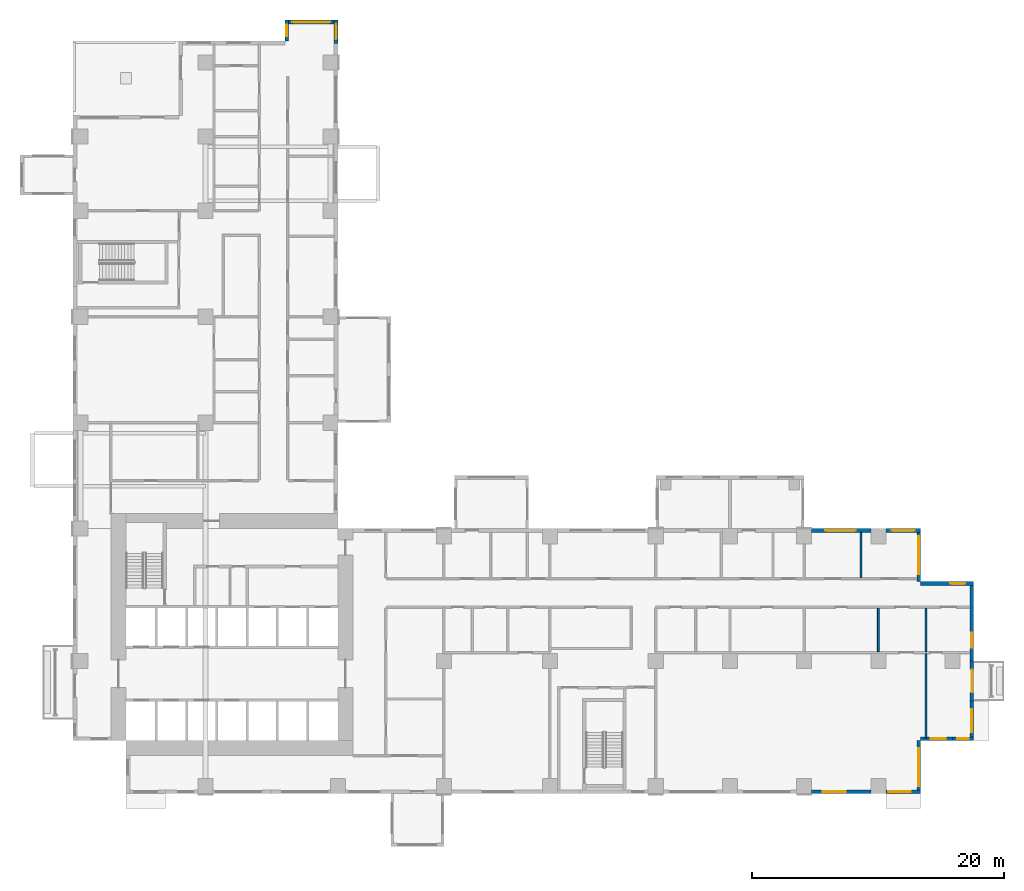
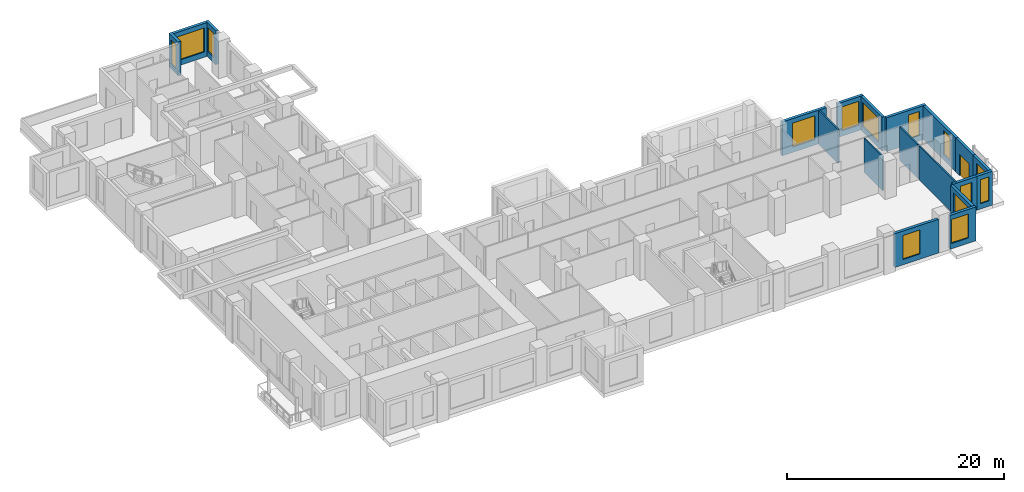
# One storey, part 9 of 15: 19 walls, 14 windows, 1 door, 15 openings.
"""IFC4 building model written with IfcOpenShell, lengths in metres."""

from ifc_helpers import new_model, si_unit, direction, frame, frame_2d, origin, place, context, subcontext, project, spatial, rectangle, extrude, source, transform, mapped, material, layer, layer_set, type_object, element, fill, save


model = new_model("IFC4")

# Units and contexts
model_context = context("Model", 3, precision=1e-05, world=origin(), true_north=direction((0.0, 1.0)))
body_context = subcontext(model_context, "Body", "Model", "MODEL_VIEW")
ifc_project = project(units=[si_unit("LENGTHUNIT", "METRE"), si_unit("AREAUNIT", "SQUARE_METRE"), si_unit("VOLUMEUNIT", "CUBIC_METRE"), si_unit("PLANEANGLEUNIT", "RADIAN"), si_unit("MASSUNIT", "GRAM", prefix="KILO")], contexts=[model_context])

# Site, building, storey
site_placement = place(None, origin())
site = spatial("IfcSite", under=ifc_project, at=site_placement, CompositionType="ELEMENT")
building_placement = place(site_placement, origin())
building = spatial("IfcBuilding", under=site, at=building_placement, Name="Aurelian Terraces", CompositionType="ELEMENT")
storey_placement = place(building_placement, frame((0.0, 0.0, 82.5)))
storey = spatial("IfcBuildingStorey", under=building, at=storey_placement, Name="L17", CompositionType="ELEMENT", Elevation=82.5)

# Wall, opening, window
ifc_material_1 = material(Name="Terracotta rainscreen cladding", Category="masonry")
ifc_layer_1 = layer(ifc_material_1, 0.3)
ifc_layer_set_1 = layer_set([ifc_layer_1], Name="EW-300")
wall_type_1 = type_object("IfcWallType", Name="EW-300", PredefinedType="STANDARD", material=ifc_layer_set_1)
shared_shape_1 = source(origin(), body_context, "Body", "SweptSolid", [
    extrude(rectangle(XDim=4.68, YDim=0.3, at=frame_2d((2.34, 0.0))), origin(), (0.0, 0.0, 1.0), 3.8),
])
wall_1_placement = place(storey_placement, frame((58.56, 0.15, 0.0), z_axis=(0.0, 0.0, 1.0), x_axis=(1.0, 0.0, 0.0)))
wall_1 = element("IfcWall", 1, at=wall_1_placement, inside=storey, type_object=wall_type_1, Name="External wall L17 F01.10", PredefinedType="STANDARD", context=body_context, shape_type="MappedRepresentation", body=[
    mapped(shared_shape_1, transform((0.0, 0.0, 0.0), scale=1.0)),
])
shared_shape_2 = source(origin(), body_context, "Body", "SweptSolid", [
    extrude(rectangle(XDim=1.8, YDim=2.7, at=frame_2d((0.9, 1.35))), frame((0.0, 0.16, 0.0), z_axis=(0.0, -1.0, 0.0), x_axis=(1.0, 0.0, 0.0)), (0.0, 0.0, 1.0), 0.32),
])
opening_1_placement = place(wall_1_placement, frame((0.8775, 0.0, 0.6)))
opening_1 = element("IfcOpeningElement", 2, at=opening_1_placement, cuts=wall_1, Name="Opening W1827", PredefinedType="OPENING", context=body_context, shape_type="MappedRepresentation", body=[
    mapped(shared_shape_2, transform((0.0, 0.0, 0.0), scale=1.0)),
])
ifc_material_2 = material(Name="Clear glazing", Category="glass")
window_type_1 = type_object("IfcWindowType", Name="W-1800x2700", PartitioningType="SINGLE_PANEL", PredefinedType="WINDOW", material=ifc_material_2)
shared_shape_3 = source(origin(), body_context, "Body", "SweptSolid", [
    extrude(rectangle(XDim=1.8, YDim=2.7, at=frame_2d((0.9, 1.35))), frame((0.0, 0.03, 0.0), z_axis=(0.0, -1.0, 0.0), x_axis=(1.0, 0.0, 0.0)), (0.0, 0.0, 1.0), 0.06),
])
window_1_placement = place(opening_1_placement, origin())
window_1 = element("IfcWindow", 3, at=window_1_placement, inside=storey, type_object=window_type_1, Name="Window L17 L17-F01-10-0", OverallHeight=2.7, OverallWidth=1.8, PartitioningType="SINGLE_PANEL", PredefinedType="WINDOW", context=body_context, shape_type="MappedRepresentation", body=[
    mapped(shared_shape_3, transform((0.0, 0.0, 0.0), scale=1.0)),
])
fill(opening_1, window_1)

wall_2_placement = place(storey_placement, frame((63.24, 20.85, 0.0), z_axis=(0.0, 0.0, 1.0), x_axis=(-1.0, 0.0, 0.0)))
wall_2 = element("IfcWall", 4, at=wall_2_placement, inside=storey, type_object=wall_type_1, Name="External wall L17 F07.20", PredefinedType="STANDARD", context=body_context, shape_type="MappedRepresentation", body=[
    mapped(shared_shape_1, transform((0.0, 0.0, 0.0), scale=1.0)),
])
shared_shape_4 = source(origin(), body_context, "Body", "SweptSolid", [
    extrude(rectangle(XDim=2.4, YDim=2.7, at=frame_2d((1.2, 1.35))), frame((0.0, 0.16, 0.0), z_axis=(0.0, -1.0, 0.0), x_axis=(1.0, 0.0, 0.0)), (0.0, 0.0, 1.0), 0.32),
])
opening_2_placement = place(wall_2_placement, frame((1.1935, 0.0, 0.6)))
opening_2 = element("IfcOpeningElement", 5, at=opening_2_placement, cuts=wall_2, Name="Opening W2427", PredefinedType="OPENING", context=body_context, shape_type="MappedRepresentation", body=[
    mapped(shared_shape_4, transform((0.0, 0.0, 0.0), scale=1.0)),
])
window_type_2 = type_object("IfcWindowType", Name="W-2400x2700", PartitioningType="SINGLE_PANEL", PredefinedType="WINDOW", material=ifc_material_2)
shared_shape_5 = source(origin(), body_context, "Body", "SweptSolid", [
    extrude(rectangle(XDim=2.4, YDim=2.7, at=frame_2d((1.2, 1.35))), frame((0.0, 0.03, 0.0), z_axis=(0.0, -1.0, 0.0), x_axis=(1.0, 0.0, 0.0)), (0.0, 0.0, 1.0), 0.06),
])
window_2_placement = place(opening_2_placement, origin())
window_2 = element("IfcWindow", 6, at=window_2_placement, inside=storey, type_object=window_type_2, Name="Window L17 L17-F07-20-1", OverallHeight=2.7, OverallWidth=2.4, PartitioningType="SINGLE_PANEL", PredefinedType="WINDOW", context=body_context, shape_type="MappedRepresentation", body=[
    mapped(shared_shape_5, transform((0.0, 0.0, 0.0), scale=1.0)),
])
fill(opening_2, window_2)

shared_shape_6 = source(origin(), body_context, "Body", "SweptSolid", [
    extrude(rectangle(XDim=3.15, YDim=0.3, at=frame_2d((1.575, 0.0))), origin(), (0.0, 0.0, 1.0), 3.8),
])
wall_3_placement = place(storey_placement, frame((71.25, 4.2, 0.0), z_axis=(0.0, 0.0, 1.0), x_axis=(0.0, 1.0, 0.0)))
wall_3 = element("IfcWall", 7, at=wall_3_placement, inside=storey, type_object=wall_type_1, Name="External wall L17 F04.15", PredefinedType="STANDARD", context=body_context, shape_type="MappedRepresentation", body=[
    mapped(shared_shape_6, transform((0.0, 0.0, 0.0), scale=1.0)),
])
opening_3_placement = place(wall_3_placement, frame((0.675, 0.0, 0.6)))
opening_3 = element("IfcOpeningElement", 8, at=opening_3_placement, cuts=wall_3, Name="Opening W1827", PredefinedType="OPENING", context=body_context, shape_type="MappedRepresentation", body=[
    mapped(shared_shape_2, transform((0.0, 0.0, 0.0), scale=1.0)),
])
window_3_placement = place(opening_3_placement, origin())
window_3 = element("IfcWindow", 9, at=window_3_placement, inside=storey, type_object=window_type_1, Name="Window L17 L17-F04-15-0", OverallHeight=2.7, OverallWidth=1.8, PartitioningType="SINGLE_PANEL", PredefinedType="WINDOW", context=body_context, shape_type="MappedRepresentation", body=[
    mapped(shared_shape_3, transform((0.0, 0.0, 0.0), scale=1.0)),
])
fill(opening_3, window_3)

# Wall, opening, door
wall_4_placement = place(storey_placement, frame((71.25, 7.35, 0.0), z_axis=(0.0, 0.0, 1.0), x_axis=(0.0, 1.0, 0.0)))
wall_4 = element("IfcWall", 10, at=wall_4_placement, inside=storey, type_object=wall_type_1, Name="External wall L17 F04.16", PredefinedType="STANDARD", context=body_context, shape_type="MappedRepresentation", body=[
    mapped(shared_shape_6, transform((0.0, 0.0, 0.0), scale=1.0)),
])
shared_shape_7 = source(origin(), body_context, "Body", "SweptSolid", [
    extrude(rectangle(XDim=1.8, YDim=2.4, at=frame_2d((0.9, 1.2))), frame((0.0, 0.16, 0.0), z_axis=(0.0, -1.0, 0.0), x_axis=(1.0, 0.0, 0.0)), (0.0, 0.0, 1.0), 0.32),
])
opening_4_placement = place(wall_4_placement, frame((0.675, 0.0, 0.0)))
opening_4 = element("IfcOpeningElement", 11, at=opening_4_placement, cuts=wall_4, Name="Opening 81701", PredefinedType="OPENING", context=body_context, shape_type="MappedRepresentation", body=[
    mapped(shared_shape_7, transform((0.0, 0.0, 0.0), scale=1.0)),
])
door_type = type_object("IfcDoorType", Name="BD-1800x2400", OperationType="SLIDING_TO_LEFT", PredefinedType="DOOR", material=ifc_material_2)
shared_shape_8 = source(origin(), body_context, "Body", "SweptSolid", [
    extrude(rectangle(XDim=1.8, YDim=2.4, at=frame_2d((0.9, 1.2))), frame((0.0, 0.025, 0.0), z_axis=(0.0, -1.0, 0.0), x_axis=(1.0, 0.0, 0.0)), (0.0, 0.0, 1.0), 0.05),
])
door_placement = place(opening_4_placement, origin())
door = element("IfcDoor", 12, at=door_placement, inside=storey, type_object=door_type, Name="Balcony door L17 F04.16", OperationType="SLIDING_TO_LEFT", OverallHeight=2.4, OverallWidth=1.8, PredefinedType="DOOR", context=body_context, shape_type="MappedRepresentation", body=[
    mapped(shared_shape_8, transform((0.0, 0.0, 0.0), scale=1.0)),
])
fill(opening_4, door)

# Wall, opening, window
shared_shape_9 = source(origin(), body_context, "Body", "SweptSolid", [
    extrude(rectangle(XDim=4.2, YDim=0.3, at=frame_2d((2.1, 0.0))), origin(), (0.0, 0.0, 1.0), 3.8),
])
wall_5_placement = place(storey_placement, frame((67.05, 0.0, 0.0), z_axis=(0.0, 0.0, 1.0), x_axis=(0.0, 1.0, 0.0)))
wall_5 = element("IfcWall", 13, at=wall_5_placement, inside=storey, type_object=wall_type_1, Name="External wall L17 F02.12", PredefinedType="STANDARD", context=body_context, shape_type="MappedRepresentation", body=[
    mapped(shared_shape_9, transform((0.0, 0.0, 0.0), scale=1.0)),
])
shared_shape_10 = source(origin(), body_context, "Body", "SweptSolid", [
    extrude(rectangle(XDim=3.0, YDim=2.7, at=frame_2d((1.5, 1.35))), frame((0.0, 0.16, 0.0), z_axis=(0.0, -1.0, 0.0), x_axis=(1.0, 0.0, 0.0)), (0.0, 0.0, 1.0), 0.32),
])
opening_5_placement = place(wall_5_placement, frame((0.6, 0.0, 0.6)))
opening_5 = element("IfcOpeningElement", 14, at=opening_5_placement, cuts=wall_5, Name="Opening W3027", PredefinedType="OPENING", context=body_context, shape_type="MappedRepresentation", body=[
    mapped(shared_shape_10, transform((0.0, 0.0, 0.0), scale=1.0)),
])
window_type_3 = type_object("IfcWindowType", Name="W-3000x2700", PartitioningType="SINGLE_PANEL", PredefinedType="WINDOW", material=ifc_material_2)
shared_shape_11 = source(origin(), body_context, "Body", "SweptSolid", [
    extrude(rectangle(XDim=3.0, YDim=2.7, at=frame_2d((1.5, 1.35))), frame((0.0, 0.03, 0.0), z_axis=(0.0, -1.0, 0.0), x_axis=(1.0, 0.0, 0.0)), (0.0, 0.0, 1.0), 0.06),
])
window_4_placement = place(opening_5_placement, origin())
window_4 = element("IfcWindow", 15, at=window_4_placement, inside=storey, type_object=window_type_3, Name="Window L17 L17-F02-12-0", OverallHeight=2.7, OverallWidth=3.0, PartitioningType="SINGLE_PANEL", PredefinedType="WINDOW", context=body_context, shape_type="MappedRepresentation", body=[
    mapped(shared_shape_11, transform((0.0, 0.0, 0.0), scale=1.0)),
])
fill(opening_5, window_4)

wall_6_placement = place(storey_placement, frame((71.4, 16.65, 0.0), z_axis=(0.0, 0.0, 1.0), x_axis=(-1.0, 0.0, 0.0)))
wall_6 = element("IfcWall", 16, at=wall_6_placement, inside=storey, type_object=wall_type_1, Name="External wall L17 F05.18", PredefinedType="STANDARD", context=body_context, shape_type="MappedRepresentation", body=[
    mapped(shared_shape_9, transform((0.0, 0.0, 0.0), scale=1.0)),
])
shared_shape_12 = source(origin(), body_context, "Body", "SweptSolid", [
    extrude(rectangle(XDim=1.2, YDim=2.7, at=frame_2d((0.6, 1.35))), frame((0.0, 0.16, 0.0), z_axis=(0.0, -1.0, 0.0), x_axis=(1.0, 0.0, 0.0)), (0.0, 0.0, 1.0), 0.32),
])
opening_6_placement = place(wall_6_placement, frame((0.66, 0.0, 0.6)))
opening_6 = element("IfcOpeningElement", 17, at=opening_6_placement, cuts=wall_6, Name="Opening W1227", PredefinedType="OPENING", context=body_context, shape_type="MappedRepresentation", body=[
    mapped(shared_shape_12, transform((0.0, 0.0, 0.0), scale=1.0)),
])
window_type_4 = type_object("IfcWindowType", Name="W-1200x2700", PartitioningType="SINGLE_PANEL", PredefinedType="WINDOW", material=ifc_material_2)
shared_shape_13 = source(origin(), body_context, "Body", "SweptSolid", [
    extrude(rectangle(XDim=1.2, YDim=2.7, at=frame_2d((0.6, 1.35))), frame((0.0, 0.03, 0.0), z_axis=(0.0, -1.0, 0.0), x_axis=(1.0, 0.0, 0.0)), (0.0, 0.0, 1.0), 0.06),
])
window_5_placement = place(opening_6_placement, origin())
window_5 = element("IfcWindow", 18, at=window_5_placement, inside=storey, type_object=window_type_4, Name="Window L17 L17-F05-18-0", OverallHeight=2.7, OverallWidth=1.2, PartitioningType="SINGLE_PANEL", PredefinedType="WINDOW", context=body_context, shape_type="MappedRepresentation", body=[
    mapped(shared_shape_13, transform((0.0, 0.0, 0.0), scale=1.0)),
])
fill(opening_6, window_5)

wall_7_placement = place(storey_placement, frame((67.05, 16.8, 0.0), z_axis=(0.0, 0.0, 1.0), x_axis=(0.0, 1.0, 0.0)))
wall_7 = element("IfcWall", 19, at=wall_7_placement, inside=storey, type_object=wall_type_1, Name="External wall L17 F06.19", PredefinedType="STANDARD", context=body_context, shape_type="MappedRepresentation", body=[
    mapped(shared_shape_9, transform((0.0, 0.0, 0.0), scale=1.0)),
])
opening_7_placement = place(wall_7_placement, frame((0.6, 0.0, 0.6)))
opening_7 = element("IfcOpeningElement", 20, at=opening_7_placement, cuts=wall_7, Name="Opening W3027", PredefinedType="OPENING", context=body_context, shape_type="MappedRepresentation", body=[
    mapped(shared_shape_10, transform((0.0, 0.0, 0.0), scale=1.0)),
])
window_6_placement = place(opening_7_placement, origin())
window_6 = element("IfcWindow", 21, at=window_6_placement, inside=storey, type_object=window_type_3, Name="Window L17 L17-F06-19-0", OverallHeight=2.7, OverallWidth=3.0, PartitioningType="SINGLE_PANEL", PredefinedType="WINDOW", context=body_context, shape_type="MappedRepresentation", body=[
    mapped(shared_shape_11, transform((0.0, 0.0, 0.0), scale=1.0)),
])
fill(opening_7, window_6)

shared_shape_14 = source(origin(), body_context, "Body", "SweptSolid", [
    extrude(rectangle(XDim=2.76, YDim=0.3, at=frame_2d((1.38, 0.0))), origin(), (0.0, 0.0, 1.0), 3.8),
])
wall_8_placement = place(storey_placement, frame((64.44, 0.15, 0.0), z_axis=(0.0, 0.0, 1.0), x_axis=(1.0, 0.0, 0.0)))
wall_8 = element("IfcWall", 22, at=wall_8_placement, inside=storey, type_object=wall_type_1, Name="External wall L17 F01.11", PredefinedType="STANDARD", context=body_context, shape_type="MappedRepresentation", body=[
    mapped(shared_shape_14, transform((0.0, 0.0, 0.0), scale=1.0)),
])
opening_8_placement = place(wall_8_placement, frame((0.18, 0.0, 0.6)))
opening_8 = element("IfcOpeningElement", 23, at=opening_8_placement, cuts=wall_8, Name="Opening W1827", PredefinedType="OPENING", context=body_context, shape_type="MappedRepresentation", body=[
    mapped(shared_shape_2, transform((0.0, 0.0, 0.0), scale=1.0)),
])
window_7_placement = place(opening_8_placement, origin())
window_7 = element("IfcWindow", 24, at=window_7_placement, inside=storey, type_object=window_type_1, Name="Window L17 L17-F01-11-0", OverallHeight=2.7, OverallWidth=1.8, PartitioningType="SINGLE_PANEL", PredefinedType="WINDOW", context=body_context, shape_type="MappedRepresentation", body=[
    mapped(shared_shape_3, transform((0.0, 0.0, 0.0), scale=1.0)),
])
fill(opening_8, window_7)

wall_9_placement = place(storey_placement, frame((67.2, 20.85, 0.0), z_axis=(0.0, 0.0, 1.0), x_axis=(-1.0, 0.0, 0.0)))
wall_9 = element("IfcWall", 25, at=wall_9_placement, inside=storey, type_object=wall_type_1, Name="External wall L17 F07.20", PredefinedType="STANDARD", context=body_context, shape_type="MappedRepresentation", body=[
    mapped(shared_shape_14, transform((0.0, 0.0, 0.0), scale=1.0)),
])
opening_9_placement = place(wall_9_placement, frame((0.48, 0.0, 0.6)))
opening_9 = element("IfcOpeningElement", 26, at=opening_9_placement, cuts=wall_9, Name="Opening W1827", PredefinedType="OPENING", context=body_context, shape_type="MappedRepresentation", body=[
    mapped(shared_shape_2, transform((0.0, 0.0, 0.0), scale=1.0)),
])
window_8_placement = place(opening_9_placement, origin())
window_8 = element("IfcWindow", 27, at=window_8_placement, inside=storey, type_object=window_type_1, Name="Window L17 L17-F07-20-P0", OverallHeight=2.7, OverallWidth=1.8, PartitioningType="SINGLE_PANEL", PredefinedType="WINDOW", context=body_context, shape_type="MappedRepresentation", body=[
    mapped(shared_shape_3, transform((0.0, 0.0, 0.0), scale=1.0)),
])
fill(opening_9, window_8)

shared_shape_15 = source(origin(), body_context, "Body", "SweptSolid", [
    extrude(rectangle(XDim=2.52, YDim=0.3, at=frame_2d((1.26, 0.0))), origin(), (0.0, 0.0, 1.0), 3.8),
])
wall_10_placement = place(storey_placement, frame((67.2, 4.35, 0.0), z_axis=(0.0, 0.0, 1.0), x_axis=(1.0, 0.0, 0.0)))
wall_10 = element("IfcWall", 28, at=wall_10_placement, inside=storey, type_object=wall_type_1, Name="External wall L17 F03.13", PredefinedType="STANDARD", context=body_context, shape_type="MappedRepresentation", body=[
    mapped(shared_shape_15, transform((0.0, 0.0, 0.0), scale=1.0)),
])
opening_10_placement = place(wall_10_placement, frame((0.7775, 0.0, 0.6)))
opening_10 = element("IfcOpeningElement", 29, at=opening_10_placement, cuts=wall_10, Name="Opening W1227", PredefinedType="OPENING", context=body_context, shape_type="MappedRepresentation", body=[
    mapped(shared_shape_12, transform((0.0, 0.0, 0.0), scale=1.0)),
])
window_9_placement = place(opening_10_placement, origin())
window_9 = element("IfcWindow", 30, at=window_9_placement, inside=storey, type_object=window_type_4, Name="Window L17 L17-F03-13-P0", OverallHeight=2.7, OverallWidth=1.2, PartitioningType="SINGLE_PANEL", PredefinedType="WINDOW", context=body_context, shape_type="MappedRepresentation", body=[
    mapped(shared_shape_13, transform((0.0, 0.0, 0.0), scale=1.0)),
])
fill(opening_10, window_9)

shared_shape_16 = source(origin(), body_context, "Body", "SweptSolid", [
    extrude(rectangle(XDim=1.68, YDim=0.3, at=frame_2d((0.84, 0.0))), origin(), (0.0, 0.0, 1.0), 3.8),
])
wall_11_placement = place(storey_placement, frame((69.72, 4.35, 0.0), z_axis=(0.0, 0.0, 1.0), x_axis=(1.0, 0.0, 0.0)))
wall_11 = element("IfcWall", 31, at=wall_11_placement, inside=storey, type_object=wall_type_1, Name="External wall L17 F03.14", PredefinedType="STANDARD", context=body_context, shape_type="MappedRepresentation", body=[
    mapped(shared_shape_16, transform((0.0, 0.0, 0.0), scale=1.0)),
])
shared_shape_17 = source(origin(), body_context, "Body", "SweptSolid", [
    extrude(rectangle(XDim=0.9, YDim=2.7, at=frame_2d((0.45, 1.35))), frame((0.0, 0.16, 0.0), z_axis=(0.0, -1.0, 0.0), x_axis=(1.0, 0.0, 0.0)), (0.0, 0.0, 1.0), 0.32),
])
opening_11_placement = place(wall_11_placement, frame((0.39, 0.0, 0.6)))
opening_11 = element("IfcOpeningElement", 32, at=opening_11_placement, cuts=wall_11, Name="Opening W0927", PredefinedType="OPENING", context=body_context, shape_type="MappedRepresentation", body=[
    mapped(shared_shape_17, transform((0.0, 0.0, 0.0), scale=1.0)),
])
window_type_5 = type_object("IfcWindowType", Name="W-900x2700", PartitioningType="SINGLE_PANEL", PredefinedType="WINDOW", material=ifc_material_2)
shared_shape_18 = source(origin(), body_context, "Body", "SweptSolid", [
    extrude(rectangle(XDim=0.9, YDim=2.7, at=frame_2d((0.45, 1.35))), frame((0.0, 0.03, 0.0), z_axis=(0.0, -1.0, 0.0), x_axis=(1.0, 0.0, 0.0)), (0.0, 0.0, 1.0), 0.06),
])
window_10_placement = place(opening_11_placement, origin())
window_10 = element("IfcWindow", 33, at=window_10_placement, inside=storey, type_object=window_type_5, Name="Window L17 L17-F03-14-P0", OverallHeight=2.7, OverallWidth=0.9, PartitioningType="SINGLE_PANEL", PredefinedType="WINDOW", context=body_context, shape_type="MappedRepresentation", body=[
    mapped(shared_shape_18, transform((0.0, 0.0, 0.0), scale=1.0)),
])
fill(opening_11, window_10)

shared_shape_19 = source(origin(), body_context, "Body", "SweptSolid", [
    extrude(rectangle(XDim=6.3, YDim=0.3, at=frame_2d((3.15, 0.0))), origin(), (0.0, 0.0, 1.0), 3.8),
])
wall_12_placement = place(storey_placement, frame((71.25, 10.5, 0.0), z_axis=(0.0, 0.0, 1.0), x_axis=(0.0, 1.0, 0.0)))
wall_12 = element("IfcWall", 34, at=wall_12_placement, inside=storey, type_object=wall_type_1, Name="External wall L17 F04.17", PredefinedType="STANDARD", context=body_context, shape_type="MappedRepresentation", body=[
    mapped(shared_shape_19, transform((0.0, 0.0, 0.0), scale=1.0)),
])
opening_12_placement = place(wall_12_placement, frame((1.0625, 0.0, 0.6)))
opening_12 = element("IfcOpeningElement", 35, at=opening_12_placement, cuts=wall_12, Name="Opening W1227", PredefinedType="OPENING", context=body_context, shape_type="MappedRepresentation", body=[
    mapped(shared_shape_12, transform((0.0, 0.0, 0.0), scale=1.0)),
])
window_11_placement = place(opening_12_placement, origin())
window_11 = element("IfcWindow", 36, at=window_11_placement, inside=storey, type_object=window_type_4, Name="Window L17 L17-F04-17-0", OverallHeight=2.7, OverallWidth=1.2, PartitioningType="SINGLE_PANEL", PredefinedType="WINDOW", context=body_context, shape_type="MappedRepresentation", body=[
    mapped(shared_shape_13, transform((0.0, 0.0, 0.0), scale=1.0)),
])
fill(opening_12, window_11)

ifc_material_3 = material(Name="Concrete fc' 40 MPa", Category="concrete")
ifc_layer_2 = layer(ifc_material_3, 0.3)
ifc_layer_set_2 = layer_set([ifc_layer_2], Name="STAIR BAY WALL 300")
wall_type_2 = type_object("IfcWallType", Name="STAIR BAY WALL 300", PredefinedType="SOLIDWALL", material=ifc_layer_set_2)
shared_shape_20 = source(origin(), body_context, "Body", "SweptSolid", [
    extrude(rectangle(XDim=4.2, YDim=0.3, at=frame_2d((2.1, 0.0))), origin(), (0.0, 0.0, 1.0), 3.8),
])
wall_13_placement = place(storey_placement, frame((21.0, 61.17, 0.0), z_axis=(0.0, 0.0, 1.0), x_axis=(-1.0, 0.0, 0.0)))
wall_13 = element("IfcWall", 37, at=wall_13_placement, inside=storey, type_object=wall_type_2, Name="Bearing wall L17 F09.28", PredefinedType="SOLIDWALL", context=body_context, shape_type="MappedRepresentation", body=[
    mapped(shared_shape_20, transform((0.0, 0.0, 0.0), scale=1.0)),
])
opening_13_placement = place(wall_13_placement, frame((0.6, 0.0, 0.6)))
opening_13 = element("IfcOpeningElement", 38, at=opening_13_placement, cuts=wall_13, Name="Opening W3027", PredefinedType="OPENING", context=body_context, shape_type="MappedRepresentation", body=[
    mapped(shared_shape_10, transform((0.0, 0.0, 0.0), scale=1.0)),
])
window_12_placement = place(opening_13_placement, origin())
window_12 = element("IfcWindow", 39, at=window_12_placement, inside=storey, type_object=window_type_3, Name="Window L17 L17-F09-28-0", OverallHeight=2.7, OverallWidth=3.0, PartitioningType="SINGLE_PANEL", PredefinedType="WINDOW", context=body_context, shape_type="MappedRepresentation", body=[
    mapped(shared_shape_11, transform((0.0, 0.0, 0.0), scale=1.0)),
])
fill(opening_13, window_12)

shared_shape_21 = source(origin(), body_context, "Body", "SweptSolid", [
    extrude(rectangle(XDim=1.88, YDim=0.3, at=frame_2d((0.94, 0.0))), origin(), (0.0, 0.0, 1.0), 3.8),
])
wall_14_placement = place(storey_placement, frame((20.85, 59.44, 0.0), z_axis=(0.0, 0.0, 1.0), x_axis=(0.0, 1.0, 0.0)))
wall_14 = element("IfcWall", 40, at=wall_14_placement, inside=storey, type_object=wall_type_2, Name="Bearing wall L17 F08.27", PredefinedType="SOLIDWALL", context=body_context, shape_type="MappedRepresentation", body=[
    mapped(shared_shape_21, transform((0.0, 0.0, 0.0), scale=1.0)),
])
opening_14_placement = place(wall_14_placement, frame((0.34, 0.0, 0.6)))
opening_14 = element("IfcOpeningElement", 41, at=opening_14_placement, cuts=wall_14, Name="Opening W1227", PredefinedType="OPENING", context=body_context, shape_type="MappedRepresentation", body=[
    mapped(shared_shape_12, transform((0.0, 0.0, 0.0), scale=1.0)),
])
window_13_placement = place(opening_14_placement, origin())
window_13 = element("IfcWindow", 42, at=window_13_placement, inside=storey, type_object=window_type_4, Name="Window L17 L17-F08-27-P1", OverallHeight=2.7, OverallWidth=1.2, PartitioningType="SINGLE_PANEL", PredefinedType="WINDOW", context=body_context, shape_type="MappedRepresentation", body=[
    mapped(shared_shape_13, transform((0.0, 0.0, 0.0), scale=1.0)),
])
fill(opening_14, window_13)

shared_shape_22 = source(origin(), body_context, "Body", "SweptSolid", [
    extrude(rectangle(XDim=1.68, YDim=0.3, at=frame_2d((0.84, 0.0))), origin(), (0.0, 0.0, 1.0), 3.8),
])
wall_15_placement = place(storey_placement, frame((16.95, 61.32, 0.0), z_axis=(0.0, 0.0, 1.0), x_axis=(0.0, -1.0, 0.0)))
wall_15 = element("IfcWall", 43, at=wall_15_placement, inside=storey, type_object=wall_type_2, Name="Bearing wall L17 F10.29", PredefinedType="SOLIDWALL", context=body_context, shape_type="MappedRepresentation", body=[
    mapped(shared_shape_22, transform((0.0, 0.0, 0.0), scale=1.0)),
])
opening_15_placement = place(wall_15_placement, frame((0.39, 0.0, 0.6)))
opening_15 = element("IfcOpeningElement", 44, at=opening_15_placement, cuts=wall_15, Name="Opening W0927", PredefinedType="OPENING", context=body_context, shape_type="MappedRepresentation", body=[
    mapped(shared_shape_17, transform((0.0, 0.0, 0.0), scale=1.0)),
])
window_14_placement = place(opening_15_placement, origin())
window_14 = element("IfcWindow", 45, at=window_14_placement, inside=storey, type_object=window_type_5, Name="Window L17 L17-F10-29-P0", OverallHeight=2.7, OverallWidth=0.9, PartitioningType="SINGLE_PANEL", PredefinedType="WINDOW", context=body_context, shape_type="MappedRepresentation", body=[
    mapped(shared_shape_18, transform((0.0, 0.0, 0.0), scale=1.0)),
])
fill(opening_15, window_14)

# Walls
ifc_material_4 = material(Name="Gypsum board on steel studs", Category="steel")
ifc_layer_3 = layer(ifc_material_4, 0.15)
ifc_layer_set_3 = layer_set([ifc_layer_3], Name="Partition 150")
wall_type_3 = type_object("IfcWallType", Name="Partition 150", PredefinedType="PARTITIONING", material=ifc_layer_set_3)
shared_shape_23 = source(origin(), body_context, "Body", "SweptSolid", [
    extrude(rectangle(XDim=3.6, YDim=0.15, at=frame_2d((1.8, 0.0))), origin(), (0.0, 0.0, 1.0), 3.8),
])
wall_16_placement = place(storey_placement, frame((62.4675, 20.7, 0.0), z_axis=(0.0, 0.0, 1.0), x_axis=(0.0, -1.0, 0.0)))
element("IfcWall", 46, at=wall_16_placement, inside=storey, type_object=wall_type_3, Name="Partition", PredefinedType="PARTITIONING", context=body_context, shape_type="MappedRepresentation", body=[
    mapped(shared_shape_23, transform((0.0, 0.0, 0.0), scale=1.0)),
])
shared_shape_24 = source(origin(), body_context, "Body", "SweptSolid", [
    extrude(rectangle(XDim=6.695, YDim=0.15, at=frame_2d((3.3475, 0.0))), origin(), (0.0, 0.0, 1.0), 3.8),
])
wall_17_placement = place(storey_placement, frame((67.62, 4.405, 0.0), z_axis=(0.0, 0.0, 1.0), x_axis=(0.0, 1.0, 0.0)))
element("IfcWall", 47, at=wall_17_placement, inside=storey, type_object=wall_type_3, Name="Partition", PredefinedType="PARTITIONING", context=body_context, shape_type="MappedRepresentation", body=[
    mapped(shared_shape_24, transform((0.0, 0.0, 0.0), scale=1.0)),
])
shared_shape_25 = source(origin(), body_context, "Body", "SweptSolid", [
    extrude(rectangle(XDim=3.45, YDim=0.15, at=frame_2d((1.725, 0.0))), origin(), (0.0, 0.0, 1.0), 3.8),
])
for number, where, z_axis, x_axis, name in (
    (48, (63.84, 11.25, 0.0), (0.0, 0.0, 1.0), (0.0, 1.0, 0.0), "Partition"),
    (49, (67.62, 11.25, 0.0), (0.0, 0.0, 1.0), (0.0, 1.0, 0.0), "Partition"),
):
    element("IfcWall", number, at=place(storey_placement, frame(where, z_axis=z_axis, x_axis=x_axis)), inside=storey, type_object=wall_type_3, Name=name, PredefinedType="PARTITIONING", context=body_context, shape_type="MappedRepresentation", body=[
        mapped(shared_shape_25, transform((0.0, 0.0, 0.0), scale=1.0)),
    ])

save(model, "model.ifc")
